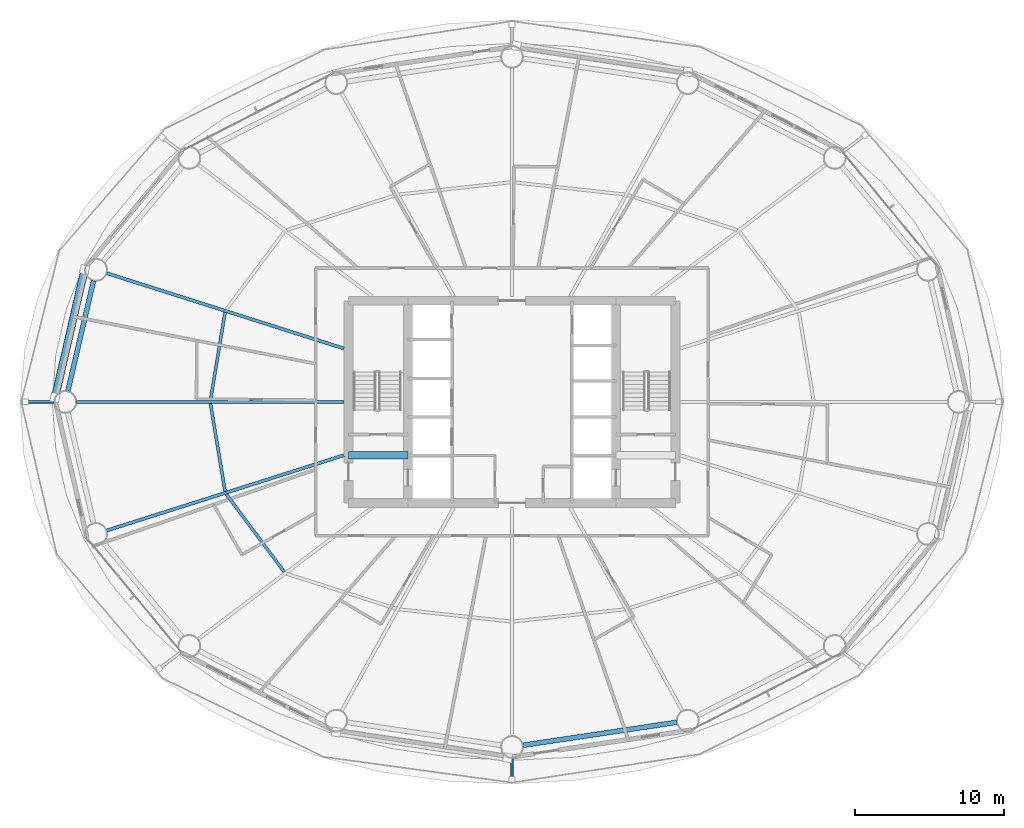
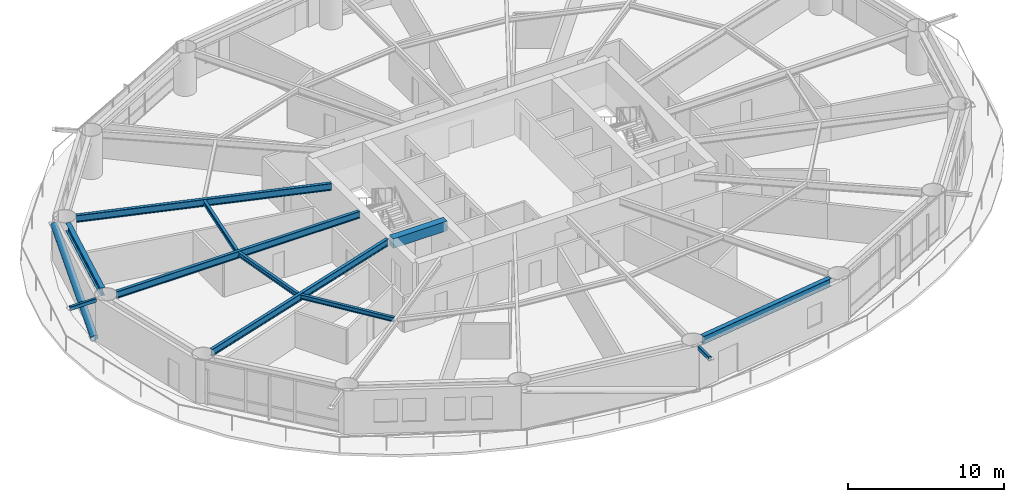
# One storey, part 5 of 26: 9 beams, 3 members.
"""IFC4 building model written with IfcOpenShell, lengths in metres."""

from ifc_helpers import new_model, si_unit, direction, frame, origin, origin_2d, place, context, subcontext, project, spatial, rectangle, hollow_rectangle, hollow_circle, i_section, extrude, material, material_profile, profile_set, type_object, element, save


model = new_model("IFC4")

# Units and contexts
model_context = context("Model", 3, precision=1e-05, world=origin(), true_north=direction((0.0, 1.0)))
body_context = subcontext(model_context, "Body", "Model", "MODEL_VIEW")
ifc_project = project(units=[si_unit("LENGTHUNIT", "METRE"), si_unit("AREAUNIT", "SQUARE_METRE"), si_unit("VOLUMEUNIT", "CUBIC_METRE"), si_unit("PLANEANGLEUNIT", "RADIAN"), si_unit("MASSUNIT", "GRAM", prefix="KILO")], contexts=[model_context])

# Site, building, storey
site_placement = place(None, origin())
site = spatial("IfcSite", under=ifc_project, at=site_placement, CompositionType="ELEMENT")
building_placement = place(site_placement, origin())
building = spatial("IfcBuilding", under=site, at=building_placement, Name="Sarneth Arch Tower", CompositionType="ELEMENT")
storey_placement = place(building_placement, frame((0.0, 0.0, 71.39990234375)))
storey = spatial("IfcBuildingStorey", under=building, at=storey_placement, Name="L17", CompositionType="ELEMENT", Elevation=71.39990234375)

# Beams
ifc_material_1 = material(Name="Steel S355", Category="steel")
ifc_material_profile_1 = material_profile(ifc_material_1, i_section(OverallWidth=0.202880859375, OverallDepth=0.346923828125, WebThickness=0.0078125, FlangeThickness=0.013427734375, FilletRadius=0.014892578125, at=origin_2d()), Name="W360x64")
ifc_profile_set_1 = profile_set([ifc_material_profile_1], Name="Steel S355")
beam_type_1 = type_object("IfcBeamType", Name="BM-JOIST-360C", PredefinedType="JOIST", material=ifc_profile_set_1)
for number, where, z_axis, x_axis, name in (
    (1, (28.70703125, 48.013916015625, 3.20654296875), (-0.16394288124, -0.986469833138, 0.0), (0.986469833138, -0.16394288124, 0.0), "L17 Secondary floor joist 08"),
    (2, (27.72509765625, 41.89453125, 3.20654296875), (0.16394288124, -0.986469833138, 0.0), (0.986469833138, 0.16394288124, 0.0), "L17 Secondary floor joist 09"),
):
    element("IfcBeam", number, at=place(storey_placement, frame(where, z_axis=z_axis, x_axis=x_axis)), inside=storey, type_object=beam_type_1, Name=name, PredefinedType="JOIST", context=body_context, shape_type="SweptSolid", body=[
        extrude(i_section(OverallWidth=0.202880859375, OverallDepth=0.346923828125, WebThickness=0.0078125, FlangeThickness=0.013427734375, FilletRadius=0.014892578125, at=origin_2d()), origin(), (0.0, 0.0, 1.0), 5.989501953125),
    ])
beam_1_placement = place(storey_placement, frame((28.78857421875, 35.794921875, 3.20654296875), z_axis=(0.597700490469, -0.801719479428, 0.0), x_axis=(0.801719479428, 0.597700490469, 0.0)))
element("IfcBeam", 3, at=beam_1_placement, inside=storey, type_object=beam_type_1, Name="L17 Secondary floor joist 10", PredefinedType="JOIST", context=body_context, shape_type="SweptSolid", body=[
    extrude(i_section(OverallWidth=0.202880859375, OverallDepth=0.346923828125, WebThickness=0.0078125, FlangeThickness=0.013427734375, FilletRadius=0.014892578125, at=origin_2d()), origin(), (0.0, 0.0, 1.0), 6.5302734375),
])
ifc_material_2 = material(Name="Concrete C50/60", Category="concrete")
ifc_material_profile_2 = material_profile(ifc_material_2, rectangle(XDim=0.5, YDim=0.75, at=origin_2d()), Name="RC-500x750")
ifc_profile_set_2 = profile_set([ifc_material_profile_2], Name="Concrete C50/60")
beam_type_2 = type_object("IfcBeamType", Name="BM-LINTEL-RC", PredefinedType="LINTEL", material=ifc_profile_set_2)
beam_2_placement = place(storey_placement, frame((37.0, 38.39990234375, 3.005126953125), z_axis=(1.0, 0.0, 0.0), x_axis=(0.0, 1.0, 0.0)))
element("IfcBeam", 4, at=beam_2_placement, inside=storey, type_object=beam_type_2, Name="L17 Core coupling lintel W", PredefinedType="LINTEL", context=body_context, shape_type="SweptSolid", body=[
    extrude(rectangle(XDim=0.5, YDim=0.75, at=origin_2d()), origin(), (0.0, 0.0, 1.0), 4.0),
])
ifc_material_3 = material(Name="Steel S355", Category="steel")
ifc_material_profile_3 = material_profile(ifc_material_3, i_section(OverallWidth=0.214111328125, OverallDepth=0.549072265625, WebThickness=0.0146484375, FlangeThickness=0.023681640625, FilletRadius=0.01806640625, at=origin_2d()), Name="W530x138")
ifc_profile_set_3 = profile_set([ifc_material_profile_3], Name="Steel S355")
beam_type_3 = type_object("IfcBeamType", Name="BM-RAD-530A", PredefinedType="BEAM", material=ifc_profile_set_3)
beam_3_placement = place(storey_placement, frame((36.699951171875, 45.58740234375, 3.105712890625), z_axis=(-0.953119859464, 0.30259301627, 0.0), x_axis=(-0.30259301627, -0.953119859464, 0.0)))
element("IfcBeam", 5, at=beam_3_placement, inside=storey, type_object=beam_type_3, Name="L17 Radial floor girder 08", PredefinedType="BEAM", context=body_context, shape_type="SweptSolid", body=[
    extrude(i_section(OverallWidth=0.214111328125, OverallDepth=0.549072265625, WebThickness=0.0146484375, FlangeThickness=0.023681640625, FilletRadius=0.01806640625, at=origin_2d()), origin(), (0.0, 0.0, 1.0), 16.7353515625),
])
beam_4_placement = place(storey_placement, frame((36.699951171875, 42.0, 3.105712890625), z_axis=(-1.0, 0.0, 0.0), x_axis=(0.0, -1.0, 0.0)))
element("IfcBeam", 6, at=beam_4_placement, inside=storey, type_object=beam_type_3, Name="L17 Radial floor girder 09", PredefinedType="BEAM", context=body_context, shape_type="SweptSolid", body=[
    extrude(i_section(OverallWidth=0.214111328125, OverallDepth=0.549072265625, WebThickness=0.0146484375, FlangeThickness=0.023681640625, FilletRadius=0.01806640625, at=origin_2d()), origin(), (0.0, 0.0, 1.0), 17.98486328125),
])
beam_5_placement = place(storey_placement, frame((36.699951171875, 38.41259765625, 3.105712890625), z_axis=(-0.953119859464, -0.30259301627, 0.0), x_axis=(0.30259301627, -0.953119859464, 0.0)))
element("IfcBeam", 7, at=beam_5_placement, inside=storey, type_object=beam_type_3, Name="L17 Radial floor girder 10", PredefinedType="BEAM", context=body_context, shape_type="SweptSolid", body=[
    extrude(i_section(OverallWidth=0.214111328125, OverallDepth=0.549072265625, WebThickness=0.0146484375, FlangeThickness=0.023681640625, FilletRadius=0.01806640625, at=origin_2d()), origin(), (0.0, 0.0, 1.0), 16.7353515625),
])
ifc_material_4 = material(Name="Steel S355", Category="steel")
ifc_material_profile_4 = material_profile(ifc_material_4, i_section(OverallWidth=0.326904296875, OverallDepth=0.6220703125, WebThickness=0.015380859375, FlangeThickness=0.0244140625, FilletRadius=0.01904296875, at=origin_2d()), Name="W610x195")
ifc_profile_set_4 = profile_set([ifc_material_profile_4], Name="Steel S355")
beam_type_4 = type_object("IfcBeamType", Name="BM-SPAN-610A", PredefinedType="SPANDREL", material=ifc_profile_set_4)
beam_6_placement = place(storey_placement, frame((19.8642578125, 50.14794921875, 3.069091796875), z_axis=(-0.226982354826, -0.973898870827, 0.0), x_axis=(0.973898870827, -0.226982354826, 0.0)))
element("IfcBeam", 8, at=beam_6_placement, inside=storey, type_object=beam_type_4, Name="L17 Perimeter spandrel beam 08", PredefinedType="SPANDREL", context=body_context, shape_type="SweptSolid", body=[
    extrude(i_section(OverallWidth=0.326904296875, OverallDepth=0.6220703125, WebThickness=0.015380859375, FlangeThickness=0.0244140625, FilletRadius=0.01904296875, at=origin_2d()), origin(), (0.0, 0.0, 1.0), 7.6162109375),
])
beam_7_placement = place(storey_placement, frame((48.74169921875, 18.910888671875, 3.069091796875), z_axis=(0.989020169581, 0.147780594675, 0.0), x_axis=(-0.147780594675, 0.989020169581, 0.0)))
element("IfcBeam", 9, at=beam_7_placement, inside=storey, type_object=beam_type_4, Name="L17 Perimeter spandrel beam 13", PredefinedType="SPANDREL", context=body_context, shape_type="SweptSolid", body=[
    extrude(i_section(OverallWidth=0.326904296875, OverallDepth=0.6220703125, WebThickness=0.015380859375, FlangeThickness=0.0244140625, FilletRadius=0.01904296875, at=origin_2d()), origin(), (0.0, 0.0, 1.0), 10.44921875),
])

# Members
ifc_material_5 = material(Name="Steel S355", Category="steel")
ifc_material_profile_5 = material_profile(ifc_material_5, hollow_rectangle(XDim=0.199951171875, YDim=0.300048828125, WallThickness=0.012451171875, InnerFilletRadius=0.018798828125, OuterFilletRadius=0.03125, at=origin_2d()), Name="RHS300x200x12.5")
ifc_profile_set_5 = profile_set([ifc_material_profile_5], Name="Steel S355")
member_type_1 = type_object("IfcMemberType", Name="MEM-CANT-STRUT", PredefinedType="STRUT", material=ifc_profile_set_5)
member_1_placement = place(storey_placement, frame((17.215087890625, 42.0, 3.22021484375), z_axis=(-1.0, 0.0, 0.0), x_axis=(0.0, -1.0, 0.0)))
element("IfcMember", 10, at=member_1_placement, inside=storey, type_object=member_type_1, Name="L17 Balcony cantilever bracket 09", PredefinedType="STRUT", context=body_context, shape_type="SweptSolid", body=[
    extrude(hollow_rectangle(XDim=0.199951171875, YDim=0.300048828125, WallThickness=0.012451171875, InnerFilletRadius=0.018798828125, OuterFilletRadius=0.03125, at=origin_2d()), origin(), (0.0, 0.0, 1.0), 1.922119140625),
])
member_2_placement = place(storey_placement, frame((48.0, 18.050048828125, 3.22021484375), z_axis=(0.0, -1.0, 0.0), x_axis=(1.0, 0.0, 0.0)))
element("IfcMember", 11, at=member_2_placement, inside=storey, type_object=member_type_1, Name="L17 Balcony cantilever bracket 13", PredefinedType="STRUT", context=body_context, shape_type="SweptSolid", body=[
    extrude(hollow_rectangle(XDim=0.199951171875, YDim=0.300048828125, WallThickness=0.012451171875, InnerFilletRadius=0.018798828125, OuterFilletRadius=0.03125, at=origin_2d()), origin(), (0.0, 0.0, 1.0), 1.427978515625),
])
ifc_material_6 = material(Name="Steel S355", Category="steel")
ifc_material_profile_6 = material_profile(ifc_material_6, hollow_circle(Radius=0.25390625, WallThickness=0.01611328125, at=origin_2d()), Name="CHS508x16")
ifc_profile_set_6 = profile_set([ifc_material_profile_6], Name="Steel S355")
member_type_2 = type_object("IfcMemberType", Name="MEM-DIAG-BR1", PredefinedType="BRACE", material=ifc_profile_set_6)
member_3_placement = place(storey_placement, frame((17.274658203125, 42.292236328125, 0.02001953125), z_axis=(0.213332307958, 0.922814312474, 0.320785085492), x_axis=(-0.974304339016, 0.225235554419, 0.0)))
element("IfcMember", 12, at=member_3_placement, inside=storey, type_object=member_type_2, Name="L17 Perimeter frame diagonal 08", PredefinedType="BRACE", context=body_context, shape_type="SweptSolid", body=[
    extrude(hollow_circle(Radius=0.25390625, WallThickness=0.01611328125, at=origin_2d()), origin(), (0.0, 0.0, 1.0), 9.31103515625),
])

save(model, "model.ifc")
